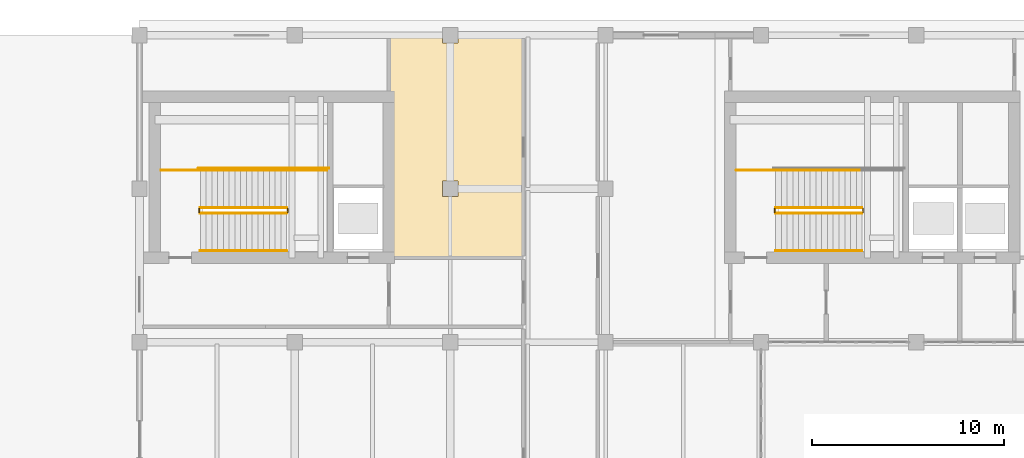
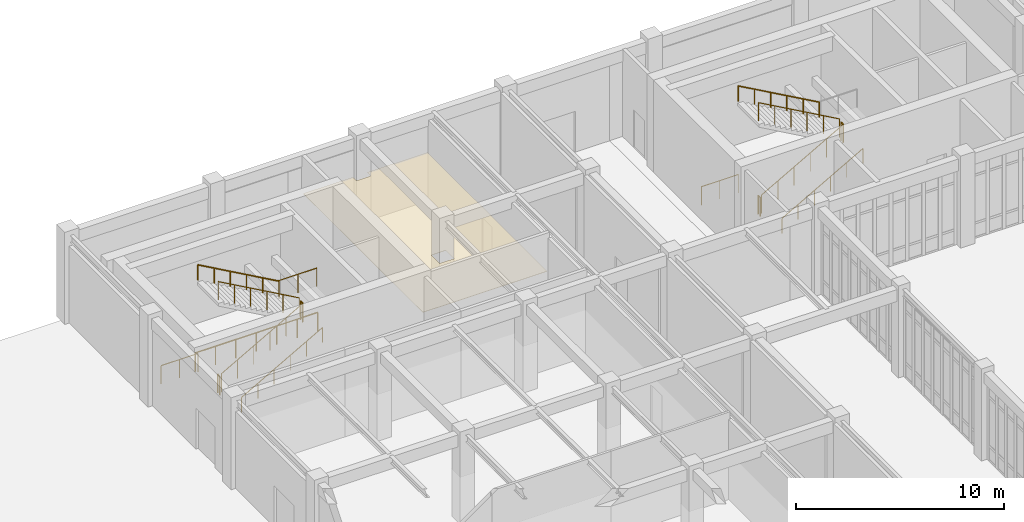
# One storey, part 58 of 62: 16 railings, 1 covering.
"""IFC4 building model written with IfcOpenShell, lengths in metres."""

from ifc_helpers import new_model, si_unit, direction, frame, origin, origin_2d, place, context, subcontext, project, spatial, polyline, circle, outline, extrude, material, layer, layer_set, type_object, element, save


model = new_model("IFC4")

# Units and contexts
model_context = context("Model", 3, precision=1e-05, world=origin(), true_north=direction((0.0, 1.0)))
body_context = subcontext(model_context, "Body", "Model", "MODEL_VIEW")
ifc_project = project(units=[si_unit("LENGTHUNIT", "METRE"), si_unit("AREAUNIT", "SQUARE_METRE"), si_unit("VOLUMEUNIT", "CUBIC_METRE"), si_unit("PLANEANGLEUNIT", "RADIAN"), si_unit("MASSUNIT", "GRAM", prefix="KILO")], contexts=[model_context])

# Site, building, storey
site_placement = place(None, origin())
site = spatial("IfcSite", under=ifc_project, at=site_placement, CompositionType="ELEMENT")
building_placement = place(site_placement, origin())
building = spatial("IfcBuilding", under=site, at=building_placement, Name="Tarnveldt Square Police Headquarters", CompositionType="ELEMENT")
storey_placement = place(building_placement, origin())
storey = spatial("IfcBuildingStorey", under=building, at=storey_placement, Name="L00", CompositionType="ELEMENT", Elevation=0.0)

# Covering
ifc_material_1 = material(Name="Mineral-fibre acoustic ceiling tile", Category="gypsum")
ifc_layer = layer(ifc_material_1, 0.02001953125)
ifc_layer_set = layer_set([ifc_layer], Name="Mineral-fibre acoustic ceiling tile")
covering_type = type_object("IfcCoveringType", Name="COV-CEIL-20", PredefinedType="CEILING", material=ifc_layer_set)
covering_placement = place(storey_placement, frame((0.0, 0.0, 2.75)))
element("IfcCovering", 1, at=covering_placement, inside=storey, type_object=covering_type, Name="Duty Legal Counsel Interview Room Acoustic Ceiling", PredefinedType="CEILING", context=body_context, shape_type="SweptSolid", body=[
    extrude(outline(polyline([(36.14990234375, 111.949951171875), (36.14990234375, 100.449951171875), (29.25, 100.449951171875), (29.25, 111.949951171875), (31.998046875, 111.949951171875), (31.998046875, 111.597900390625), (32.802001953125, 111.597900390625), (32.802001953125, 111.949951171875), (36.14990234375, 111.949951171875)]), holes=[polyline([(31.998046875, 104.402099609375), (31.998046875, 103.597900390625), (32.802001953125, 103.597900390625), (32.802001953125, 104.402099609375), (31.998046875, 104.402099609375)])]), origin(), (0.0, 0.0, 1.0), 0.02001953125),
])

# Railings
ifc_material_2 = material(Name="Steel 350W", Category="steel")
railing_type_1 = type_object("IfcRailingType", Name="RL-GR-1100", PredefinedType="GUARDRAIL", material=ifc_material_2)
railing_1_placement = place(storey_placement, frame((19.3701171875, 102.719970703125, 0.168701171875)))
element("IfcRailing", 2, at=railing_1_placement, inside=storey, type_object=railing_type_1, Name="L00 ST2 stair guard 1", PredefinedType="GUARDRAIL", context=body_context, shape_type="SweptSolid", body=[
    extrude(circle(Radius=0.02392578125, at=origin_2d()), frame((0.0, 0.0, 1.076171875), z_axis=(0.871575537125, 0.0, 0.490261239633), x_axis=(0.0, 1.0, 0.0)), (0.0, 0.0, 1.0), 5.1630859375),
    extrude(circle(Radius=0.02099609375, at=origin_2d()), origin(), (0.0, 0.0, 1.0), 1.052001953125),
    extrude(circle(Radius=0.02099609375, at=origin_2d()), frame((0.89990234375, 0.0, 0.50634765625)), (0.0, 0.0, 1.0), 1.052001953125),
    extrude(circle(Radius=0.02099609375, at=origin_2d()), frame((1.800048828125, 0.0, 1.012451171875)), (0.0, 0.0, 1.0), 1.052001953125),
    extrude(circle(Radius=0.02099609375, at=origin_2d()), frame((2.699951171875, 0.0, 1.518798828125)), (0.0, 0.0, 1.0), 1.052001953125),
    extrude(circle(Radius=0.02099609375, at=origin_2d()), frame((3.60009765625, 0.0, 2.02490234375)), (0.0, 0.0, 1.0), 1.052001953125),
    extrude(circle(Radius=0.02099609375, at=origin_2d()), frame((4.5, 0.0, 2.53125)), (0.0, 0.0, 1.0), 1.052001953125),
])
railing_2_placement = place(storey_placement, frame((23.919921875, 102.77001953125, 2.699951171875)))
element("IfcRailing", 3, at=railing_2_placement, inside=storey, type_object=railing_type_1, Name="L00 ST2 stair guard 2", PredefinedType="GUARDRAIL", context=body_context, shape_type="SweptSolid", body=[
    extrude(circle(Radius=0.02392578125, at=origin_2d()), frame((0.0, 0.0, 1.076171875), z_axis=(0.0, 1.0, 0.0), x_axis=(-1.0, 0.0, 0.0)), (0.0, 0.0, 1.0), 0.199951171875),
    extrude(circle(Radius=0.02099609375, at=origin_2d()), origin(), (0.0, 0.0, 1.0), 1.052001953125),
    extrude(circle(Radius=0.02099609375, at=origin_2d()), frame((0.0, 0.199951171875, 0.0)), (0.0, 0.0, 1.0), 1.052001953125),
])
railing_3_placement = place(storey_placement, frame((23.8701171875, 104.969970703125, 2.699951171875)))
element("IfcRailing", 4, at=railing_3_placement, inside=storey, type_object=railing_type_1, Name="L00 ST2 stair guard 3", PredefinedType="GUARDRAIL", context=body_context, shape_type="SweptSolid", body=[
    extrude(circle(Radius=0.02392578125, at=origin_2d()), frame((0.0, 0.0, 1.076171875), z_axis=(1.0, 0.0, 0.0), x_axis=(0.0, 1.0, 0.0)), (0.0, 0.0, 1.0), 2.099853515625),
    extrude(circle(Radius=0.02099609375, at=origin_2d()), origin(), (0.0, 0.0, 1.0), 1.052001953125),
    extrude(circle(Radius=0.02099609375, at=origin_2d()), frame((1.0498046875, 0.0, 0.0)), (0.0, 0.0, 1.0), 1.052001953125),
    extrude(circle(Radius=0.02099609375, at=origin_2d()), frame((2.099853515625, 0.0, 0.0)), (0.0, 0.0, 1.0), 1.052001953125),
])
railing_4_placement = place(storey_placement, frame((23.8701171875, 103.02001953125, 2.86865234375)))
element("IfcRailing", 5, at=railing_4_placement, inside=storey, type_object=railing_type_1, Name="L00 ST2 stair guard 4", PredefinedType="GUARDRAIL", context=body_context, shape_type="SweptSolid", body=[
    extrude(circle(Radius=0.02392578125, at=origin_2d()), frame((0.0, 0.0, 1.076171875), z_axis=(-0.871575537125, 0.0, 0.490261239633), x_axis=(0.0, -1.0, 0.0)), (0.0, 0.0, 1.0), 5.1630859375),
    extrude(circle(Radius=0.02099609375, at=origin_2d()), origin(), (0.0, 0.0, 1.0), 1.052001953125),
    extrude(circle(Radius=0.02099609375, at=origin_2d()), frame((-0.89990234375, 0.0, 0.50634765625)), (0.0, 0.0, 1.0), 1.052001953125),
    extrude(circle(Radius=0.02099609375, at=origin_2d()), frame((-1.800048828125, 0.0, 1.012451171875)), (0.0, 0.0, 1.0), 1.052001953125),
    extrude(circle(Radius=0.02099609375, at=origin_2d()), frame((-2.699951171875, 0.0, 1.518798828125)), (0.0, 0.0, 1.0), 1.052001953125),
    extrude(circle(Radius=0.02099609375, at=origin_2d()), frame((-3.60009765625, 0.0, 2.02490234375)), (0.0, 0.0, 1.0), 1.052001953125),
    extrude(circle(Radius=0.02099609375, at=origin_2d()), frame((-4.5, 0.0, 2.53125)), (0.0, 0.0, 1.0), 1.052001953125),
])
railing_5_placement = place(storey_placement, frame((19.320068359375, 102.77001953125, 0.0)))
element("IfcRailing", 6, at=railing_5_placement, inside=storey, type_object=railing_type_1, Name="L00 ST2 stair guard 5", PredefinedType="GUARDRAIL", context=body_context, shape_type="SweptSolid", body=[
    extrude(circle(Radius=0.02392578125, at=origin_2d()), frame((0.0, 0.0, 1.076171875), z_axis=(0.0, 1.0, 0.0), x_axis=(-1.0, 0.0, 0.0)), (0.0, 0.0, 1.0), 0.199951171875),
    extrude(circle(Radius=0.02099609375, at=origin_2d()), origin(), (0.0, 0.0, 1.0), 1.052001953125),
    extrude(circle(Radius=0.02099609375, at=origin_2d()), frame((0.0, 0.199951171875, 0.0)), (0.0, 0.0, 1.0), 1.052001953125),
])
railing_6_placement = place(storey_placement, frame((17.320068359375, 104.969970703125, 0.0)))
element("IfcRailing", 7, at=railing_6_placement, inside=storey, type_object=railing_type_1, Name="L00 ST2 stair guard 6", PredefinedType="GUARDRAIL", context=body_context, shape_type="SweptSolid", body=[
    extrude(circle(Radius=0.02392578125, at=origin_2d()), frame((0.0, 0.0, 1.076171875), z_axis=(1.0, 0.0, 0.0), x_axis=(0.0, 1.0, 0.0)), (0.0, 0.0, 1.0), 2.050048828125),
    extrude(circle(Radius=0.02099609375, at=origin_2d()), origin(), (0.0, 0.0, 1.0), 1.052001953125),
    extrude(circle(Radius=0.02099609375, at=origin_2d()), frame((1.02490234375, 0.0, 0.0)), (0.0, 0.0, 1.0), 1.052001953125),
    extrude(circle(Radius=0.02099609375, at=origin_2d()), frame((2.050048828125, 0.0, 0.0)), (0.0, 0.0, 1.0), 1.052001953125),
])
railing_7_placement = place(storey_placement, frame((19.27001953125, 105.070068359375, 0.0)))
element("IfcRailing", 8, at=railing_7_placement, inside=storey, type_object=railing_type_1, Name="L00 ST2 stair guard 7", PredefinedType="GUARDRAIL", context=body_context, shape_type="SweptSolid", body=[
    extrude(circle(Radius=0.02392578125, at=origin_2d()), frame((0.0, 0.0, 1.076171875), z_axis=(1.0, 0.0, 0.0), x_axis=(0.0, 1.0, 0.0)), (0.0, 0.0, 1.0), 6.800048828125),
    extrude(circle(Radius=0.02099609375, at=origin_2d()), origin(), (0.0, 0.0, 1.0), 1.052001953125),
    extrude(circle(Radius=0.02099609375, at=origin_2d()), frame((1.13330078125, 0.0, 0.0)), (0.0, 0.0, 1.0), 1.052001953125),
    extrude(circle(Radius=0.02099609375, at=origin_2d()), frame((2.2666015625, 0.0, 0.0)), (0.0, 0.0, 1.0), 1.052001953125),
    extrude(circle(Radius=0.02099609375, at=origin_2d()), frame((3.39990234375, 0.0, 0.0)), (0.0, 0.0, 1.0), 1.052001953125),
    extrude(circle(Radius=0.02099609375, at=origin_2d()), frame((4.533447265625, 0.0, 0.0)), (0.0, 0.0, 1.0), 1.052001953125),
    extrude(circle(Radius=0.02099609375, at=origin_2d()), frame((5.666748046875, 0.0, 0.0)), (0.0, 0.0, 1.0), 1.052001953125),
    extrude(circle(Radius=0.02099609375, at=origin_2d()), frame((6.800048828125, 0.0, 0.0)), (0.0, 0.0, 1.0), 1.052001953125),
])
railing_8_placement = place(storey_placement, frame((49.3701171875, 102.719970703125, 0.168701171875)))
element("IfcRailing", 9, at=railing_8_placement, inside=storey, type_object=railing_type_1, Name="L00 ST3 stair guard 1", PredefinedType="GUARDRAIL", context=body_context, shape_type="SweptSolid", body=[
    extrude(circle(Radius=0.02392578125, at=origin_2d()), frame((0.0, 0.0, 1.076171875), z_axis=(0.871575537125, 0.0, 0.490261239633), x_axis=(0.0, 1.0, 0.0)), (0.0, 0.0, 1.0), 5.1630859375),
    extrude(circle(Radius=0.02099609375, at=origin_2d()), origin(), (0.0, 0.0, 1.0), 1.052001953125),
    extrude(circle(Radius=0.02099609375, at=origin_2d()), frame((0.89990234375, 0.0, 0.50634765625)), (0.0, 0.0, 1.0), 1.052001953125),
    extrude(circle(Radius=0.02099609375, at=origin_2d()), frame((1.800048828125, 0.0, 1.012451171875)), (0.0, 0.0, 1.0), 1.052001953125),
    extrude(circle(Radius=0.02099609375, at=origin_2d()), frame((2.699951171875, 0.0, 1.518798828125)), (0.0, 0.0, 1.0), 1.052001953125),
    extrude(circle(Radius=0.02099609375, at=origin_2d()), frame((3.60009765625, 0.0, 2.02490234375)), (0.0, 0.0, 1.0), 1.052001953125),
    extrude(circle(Radius=0.02099609375, at=origin_2d()), frame((4.5, 0.0, 2.53125)), (0.0, 0.0, 1.0), 1.052001953125),
])
railing_9_placement = place(storey_placement, frame((53.919921875, 102.77001953125, 2.699951171875)))
element("IfcRailing", 10, at=railing_9_placement, inside=storey, type_object=railing_type_1, Name="L00 ST3 stair guard 2", PredefinedType="GUARDRAIL", context=body_context, shape_type="SweptSolid", body=[
    extrude(circle(Radius=0.02392578125, at=origin_2d()), frame((0.0, 0.0, 1.076171875), z_axis=(0.0, 1.0, 0.0), x_axis=(-1.0, 0.0, 0.0)), (0.0, 0.0, 1.0), 0.199951171875),
    extrude(circle(Radius=0.02099609375, at=origin_2d()), origin(), (0.0, 0.0, 1.0), 1.052001953125),
    extrude(circle(Radius=0.02099609375, at=origin_2d()), frame((0.0, 0.199951171875, 0.0)), (0.0, 0.0, 1.0), 1.052001953125),
])
railing_10_placement = place(storey_placement, frame((53.8701171875, 103.02001953125, 2.86865234375)))
element("IfcRailing", 11, at=railing_10_placement, inside=storey, type_object=railing_type_1, Name="L00 ST3 stair guard 4", PredefinedType="GUARDRAIL", context=body_context, shape_type="SweptSolid", body=[
    extrude(circle(Radius=0.02392578125, at=origin_2d()), frame((0.0, 0.0, 1.076171875), z_axis=(-0.871575537125, 0.0, 0.490261239633), x_axis=(0.0, -1.0, 0.0)), (0.0, 0.0, 1.0), 5.1630859375),
    extrude(circle(Radius=0.02099609375, at=origin_2d()), origin(), (0.0, 0.0, 1.0), 1.052001953125),
    extrude(circle(Radius=0.02099609375, at=origin_2d()), frame((-0.89990234375, 0.0, 0.50634765625)), (0.0, 0.0, 1.0), 1.052001953125),
    extrude(circle(Radius=0.02099609375, at=origin_2d()), frame((-1.800048828125, 0.0, 1.012451171875)), (0.0, 0.0, 1.0), 1.052001953125),
    extrude(circle(Radius=0.02099609375, at=origin_2d()), frame((-2.699951171875, 0.0, 1.518798828125)), (0.0, 0.0, 1.0), 1.052001953125),
    extrude(circle(Radius=0.02099609375, at=origin_2d()), frame((-3.60009765625, 0.0, 2.02490234375)), (0.0, 0.0, 1.0), 1.052001953125),
    extrude(circle(Radius=0.02099609375, at=origin_2d()), frame((-4.5, 0.0, 2.53125)), (0.0, 0.0, 1.0), 1.052001953125),
])
railing_11_placement = place(storey_placement, frame((49.320068359375, 102.77001953125, 0.0)))
element("IfcRailing", 12, at=railing_11_placement, inside=storey, type_object=railing_type_1, Name="L00 ST3 stair guard 5", PredefinedType="GUARDRAIL", context=body_context, shape_type="SweptSolid", body=[
    extrude(circle(Radius=0.02392578125, at=origin_2d()), frame((0.0, 0.0, 1.076171875), z_axis=(0.0, 1.0, 0.0), x_axis=(-1.0, 0.0, 0.0)), (0.0, 0.0, 1.0), 0.199951171875),
    extrude(circle(Radius=0.02099609375, at=origin_2d()), origin(), (0.0, 0.0, 1.0), 1.052001953125),
    extrude(circle(Radius=0.02099609375, at=origin_2d()), frame((0.0, 0.199951171875, 0.0)), (0.0, 0.0, 1.0), 1.052001953125),
])
railing_12_placement = place(storey_placement, frame((47.320068359375, 104.969970703125, 0.0)))
element("IfcRailing", 13, at=railing_12_placement, inside=storey, type_object=railing_type_1, Name="L00 ST3 stair guard 6", PredefinedType="GUARDRAIL", context=body_context, shape_type="SweptSolid", body=[
    extrude(circle(Radius=0.02392578125, at=origin_2d()), frame((0.0, 0.0, 1.076171875), z_axis=(1.0, 0.0, 0.0), x_axis=(0.0, 1.0, 0.0)), (0.0, 0.0, 1.0), 2.050048828125),
    extrude(circle(Radius=0.02099609375, at=origin_2d()), origin(), (0.0, 0.0, 1.0), 1.052001953125),
    extrude(circle(Radius=0.02099609375, at=origin_2d()), frame((1.02490234375, 0.0, 0.0)), (0.0, 0.0, 1.0), 1.052001953125),
    extrude(circle(Radius=0.02099609375, at=origin_2d()), frame((2.050048828125, 0.0, 0.0)), (0.0, 0.0, 1.0), 1.052001953125),
])
railing_type_2 = type_object("IfcRailingType", Name="RL-HR-900", PredefinedType="HANDRAIL", material=ifc_material_2)
railing_13_placement = place(storey_placement, frame((19.3701171875, 100.77001953125, 0.168701171875)))
element("IfcRailing", 14, at=railing_13_placement, inside=storey, type_object=railing_type_2, Name="L00 ST2 stair handrail 1", PredefinedType="HANDRAIL", context=body_context, shape_type="SweptSolid", body=[
    extrude(circle(Radius=0.02392578125, at=origin_2d()), frame((0.0, 0.0, 0.8759765625), z_axis=(0.871575537125, 0.0, 0.490261239633), x_axis=(0.0, 1.0, 0.0)), (0.0, 0.0, 1.0), 5.1630859375),
    extrude(circle(Radius=0.02099609375, at=origin_2d()), origin(), (0.0, 0.0, 1.0), 0.851806640625),
    extrude(circle(Radius=0.02099609375, at=origin_2d()), frame((0.89990234375, 0.0, 0.50634765625)), (0.0, 0.0, 1.0), 0.851806640625),
    extrude(circle(Radius=0.02099609375, at=origin_2d()), frame((1.800048828125, 0.0, 1.012451171875)), (0.0, 0.0, 1.0), 0.851806640625),
    extrude(circle(Radius=0.02099609375, at=origin_2d()), frame((2.699951171875, 0.0, 1.518798828125)), (0.0, 0.0, 1.0), 0.851806640625),
    extrude(circle(Radius=0.02099609375, at=origin_2d()), frame((3.60009765625, 0.0, 2.02490234375)), (0.0, 0.0, 1.0), 0.851806640625),
    extrude(circle(Radius=0.02099609375, at=origin_2d()), frame((4.5, 0.0, 2.53125)), (0.0, 0.0, 1.0), 0.851806640625),
])
railing_14_placement = place(storey_placement, frame((23.8701171875, 104.969970703125, 2.86865234375)))
element("IfcRailing", 15, at=railing_14_placement, inside=storey, type_object=railing_type_2, Name="L00 ST2 stair handrail 2", PredefinedType="HANDRAIL", context=body_context, shape_type="SweptSolid", body=[
    extrude(circle(Radius=0.02392578125, at=origin_2d()), frame((0.0, 0.0, 0.8759765625), z_axis=(-0.871575537125, 0.0, 0.490261239633), x_axis=(0.0, -1.0, 0.0)), (0.0, 0.0, 1.0), 5.1630859375),
    extrude(circle(Radius=0.02099609375, at=origin_2d()), origin(), (0.0, 0.0, 1.0), 0.851806640625),
    extrude(circle(Radius=0.02099609375, at=origin_2d()), frame((-0.89990234375, 0.0, 0.50634765625)), (0.0, 0.0, 1.0), 0.851806640625),
    extrude(circle(Radius=0.02099609375, at=origin_2d()), frame((-1.800048828125, 0.0, 1.012451171875)), (0.0, 0.0, 1.0), 0.851806640625),
    extrude(circle(Radius=0.02099609375, at=origin_2d()), frame((-2.699951171875, 0.0, 1.518798828125)), (0.0, 0.0, 1.0), 0.851806640625),
    extrude(circle(Radius=0.02099609375, at=origin_2d()), frame((-3.60009765625, 0.0, 2.02490234375)), (0.0, 0.0, 1.0), 0.851806640625),
    extrude(circle(Radius=0.02099609375, at=origin_2d()), frame((-4.5, 0.0, 2.53125)), (0.0, 0.0, 1.0), 0.851806640625),
])
railing_15_placement = place(storey_placement, frame((49.3701171875, 100.77001953125, 0.168701171875)))
element("IfcRailing", 16, at=railing_15_placement, inside=storey, type_object=railing_type_2, Name="L00 ST3 stair handrail 1", PredefinedType="HANDRAIL", context=body_context, shape_type="SweptSolid", body=[
    extrude(circle(Radius=0.02392578125, at=origin_2d()), frame((0.0, 0.0, 0.8759765625), z_axis=(0.871575537125, 0.0, 0.490261239633), x_axis=(0.0, 1.0, 0.0)), (0.0, 0.0, 1.0), 5.1630859375),
    extrude(circle(Radius=0.02099609375, at=origin_2d()), origin(), (0.0, 0.0, 1.0), 0.851806640625),
    extrude(circle(Radius=0.02099609375, at=origin_2d()), frame((0.89990234375, 0.0, 0.50634765625)), (0.0, 0.0, 1.0), 0.851806640625),
    extrude(circle(Radius=0.02099609375, at=origin_2d()), frame((1.800048828125, 0.0, 1.012451171875)), (0.0, 0.0, 1.0), 0.851806640625),
    extrude(circle(Radius=0.02099609375, at=origin_2d()), frame((2.699951171875, 0.0, 1.518798828125)), (0.0, 0.0, 1.0), 0.851806640625),
    extrude(circle(Radius=0.02099609375, at=origin_2d()), frame((3.60009765625, 0.0, 2.02490234375)), (0.0, 0.0, 1.0), 0.851806640625),
    extrude(circle(Radius=0.02099609375, at=origin_2d()), frame((4.5, 0.0, 2.53125)), (0.0, 0.0, 1.0), 0.851806640625),
])
railing_16_placement = place(storey_placement, frame((53.8701171875, 104.969970703125, 2.86865234375)))
element("IfcRailing", 17, at=railing_16_placement, inside=storey, type_object=railing_type_2, Name="L00 ST3 stair handrail 2", PredefinedType="HANDRAIL", context=body_context, shape_type="SweptSolid", body=[
    extrude(circle(Radius=0.02392578125, at=origin_2d()), frame((0.0, 0.0, 0.8759765625), z_axis=(-0.871575537125, 0.0, 0.490261239633), x_axis=(0.0, -1.0, 0.0)), (0.0, 0.0, 1.0), 5.1630859375),
    extrude(circle(Radius=0.02099609375, at=origin_2d()), origin(), (0.0, 0.0, 1.0), 0.851806640625),
    extrude(circle(Radius=0.02099609375, at=origin_2d()), frame((-0.89990234375, 0.0, 0.50634765625)), (0.0, 0.0, 1.0), 0.851806640625),
    extrude(circle(Radius=0.02099609375, at=origin_2d()), frame((-1.800048828125, 0.0, 1.012451171875)), (0.0, 0.0, 1.0), 0.851806640625),
    extrude(circle(Radius=0.02099609375, at=origin_2d()), frame((-2.699951171875, 0.0, 1.518798828125)), (0.0, 0.0, 1.0), 0.851806640625),
    extrude(circle(Radius=0.02099609375, at=origin_2d()), frame((-3.60009765625, 0.0, 2.02490234375)), (0.0, 0.0, 1.0), 0.851806640625),
    extrude(circle(Radius=0.02099609375, at=origin_2d()), frame((-4.5, 0.0, 2.53125)), (0.0, 0.0, 1.0), 0.851806640625),
])

save(model, "model.ifc")
